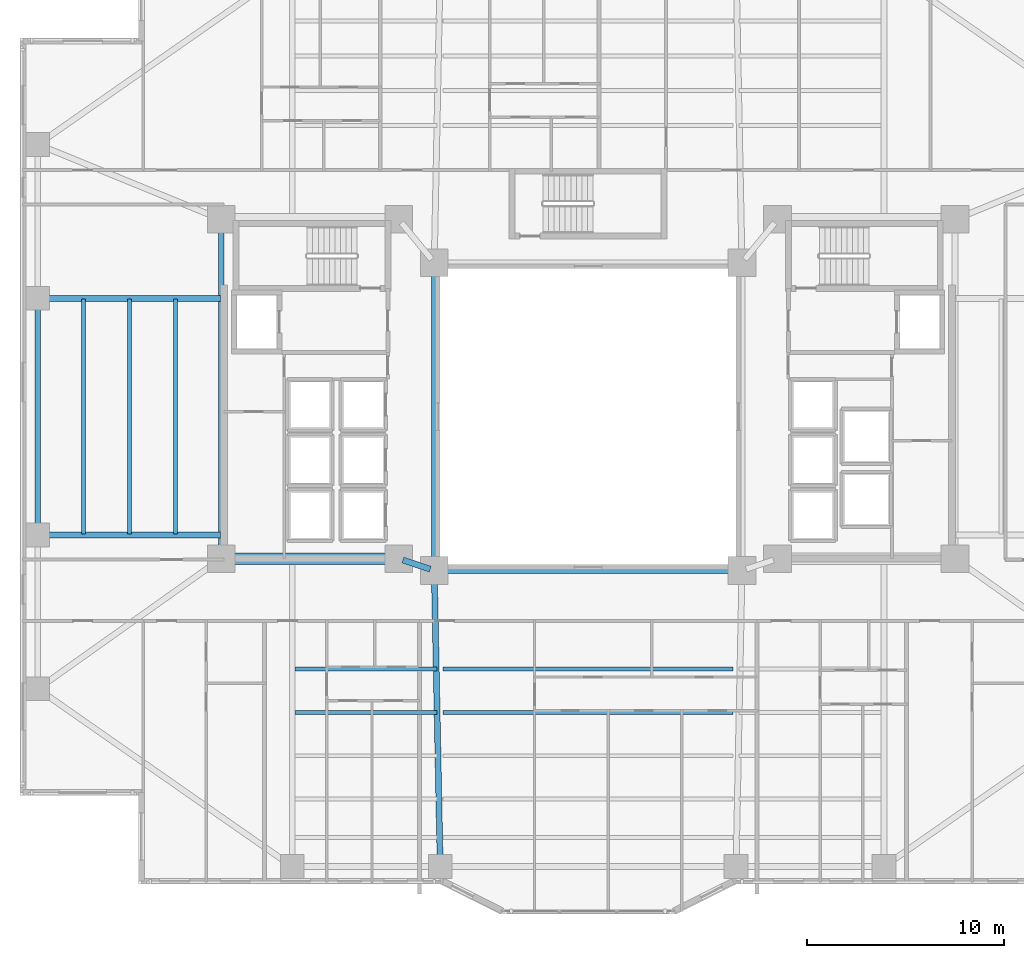
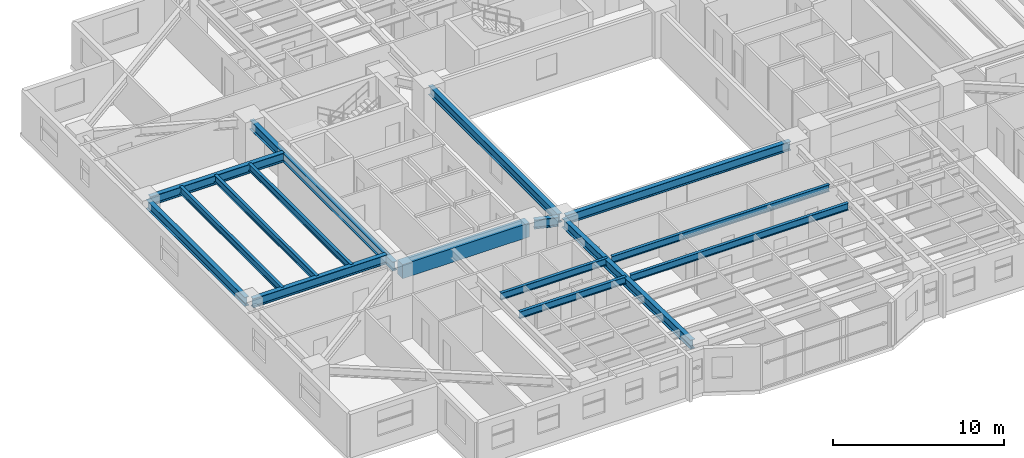
# One storey, part 3 of 21: 16 beams.
"""IFC4 building model written with IfcOpenShell, lengths in metres."""

from ifc_helpers import new_model, si_unit, direction, frame, origin, origin_2d, place, context, subcontext, project, spatial, rectangle, i_section, extrude, material, material_profile, profile_set, type_object, element, save


model = new_model("IFC4")

# Units and contexts
model_context = context("Model", 3, precision=1e-05, world=origin(), true_north=direction((0.0, 1.0)))
body_context = subcontext(model_context, "Body", "Model", "MODEL_VIEW")
ifc_project = project(units=[si_unit("LENGTHUNIT", "METRE"), si_unit("AREAUNIT", "SQUARE_METRE"), si_unit("VOLUMEUNIT", "CUBIC_METRE"), si_unit("PLANEANGLEUNIT", "RADIAN"), si_unit("MASSUNIT", "GRAM", prefix="KILO")], contexts=[model_context])

# Site, building, storey
site_placement = place(None, origin())
site = spatial("IfcSite", under=ifc_project, at=site_placement, CompositionType="ELEMENT")
building_placement = place(site_placement, origin())
building = spatial("IfcBuilding", under=site, at=building_placement, Name="Tarnavaz Court Tower", CompositionType="ELEMENT")
storey_placement = place(building_placement, frame((0.0, 0.0, 37.39990234375)))
storey = spatial("IfcBuildingStorey", under=building, at=storey_placement, Name="L09", CompositionType="ELEMENT", Elevation=37.39990234375)

# Beams
ifc_material_1 = material(Name="Concrete C60/75", Category="concrete")
ifc_material_profile_1 = material_profile(ifc_material_1, rectangle(XDim=0.60009765625, YDim=1.0, at=origin_2d()), Name="RC 600X1000")
ifc_profile_set_1 = profile_set([ifc_material_profile_1], Name="Concrete C60/75")
beam_type_1 = type_object("IfcBeamType", Name="BM-CB1000", PredefinedType="LINTEL", material=ifc_profile_set_1)
beam_1_placement = place(storey_placement, frame((-18.3798828125, -7.199951171875, 2.60009765625), z_axis=(1.0, 0.0, 0.0), x_axis=(0.0, 1.0, 0.0)))
element("IfcBeam", 1, at=beam_1_placement, inside=storey, type_object=beam_type_1, Name="L09 Beam IN-CW-SO-CW-SI", PredefinedType="LINTEL", context=body_context, shape_type="SweptSolid", body=[
    extrude(rectangle(XDim=0.60009765625, YDim=1.0, at=origin_2d()), origin(), (0.0, 0.0, 1.0), 8.559814453125),
])
ifc_material_2 = material(Name="Steel S355", Category="steel")
ifc_material_profile_2 = material_profile(ifc_material_2, i_section(OverallWidth=0.300048828125, OverallDepth=0.64990234375, WebThickness=0.01611328125, FlangeThickness=0.031005859375, FilletRadius=0.027099609375, at=origin_2d()), Name="HEB 650")
ifc_profile_set_2 = profile_set([ifc_material_profile_2], Name="Steel S355")
beam_type_2 = type_object("IfcBeamType", Name="BM-G-HEB650", PredefinedType="USERDEFINED", material=ifc_profile_set_2)
beam_2_placement = place(storey_placement, frame((-9.391357421875, -7.26953125, 2.775146484375), z_axis=(0.948666544706, -0.316278021615, 0.0), x_axis=(0.316278021615, 0.948666544706, 0.0)))
element("IfcBeam", 2, at=beam_2_placement, inside=storey, type_object=beam_type_2, Name="L09 Beam IN-CW-SI-IW-SW", ObjectType="GIRDER", PredefinedType="USERDEFINED", context=body_context, shape_type="SweptSolid", body=[
    extrude(i_section(OverallWidth=0.300048828125, OverallDepth=0.64990234375, WebThickness=0.01611328125, FlangeThickness=0.031005859375, FilletRadius=0.027099609375, at=origin_2d()), origin(), (0.0, 0.0, 1.0), 1.457275390625),
])
beam_3_placement = place(storey_placement, frame((-18.60009765625, -6.97998046875, 2.775146484375), z_axis=(0.0, 1.0, 0.0), x_axis=(-1.0, 0.0, 0.0)))
element("IfcBeam", 3, at=beam_3_placement, inside=storey, type_object=beam_type_2, Name="L09 Beam IN-CW-SO-CW-NO", ObjectType="GIRDER", PredefinedType="USERDEFINED", context=body_context, shape_type="SweptSolid", body=[
    extrude(i_section(OverallWidth=0.300048828125, OverallDepth=0.64990234375, WebThickness=0.01611328125, FlangeThickness=0.031005859375, FilletRadius=0.027099609375, at=origin_2d()), origin(), (0.0, 0.0, 1.0), 16.760009765625),
])
beam_4_placement = place(storey_placement, frame((-7.795654296875, -8.02001953125, 2.775146484375), z_axis=(0.020000023066, -0.999799979535, 0.0), x_axis=(0.999799979535, 0.020000023066, 0.0)))
element("IfcBeam", 4, at=beam_4_placement, inside=storey, type_object=beam_type_2, Name="L09 Beam RG-06", ObjectType="GIRDER", PredefinedType="USERDEFINED", context=body_context, shape_type="SweptSolid", body=[
    extrude(i_section(OverallWidth=0.300048828125, OverallDepth=0.64990234375, WebThickness=0.01611328125, FlangeThickness=0.031005859375, FilletRadius=0.027099609375, at=origin_2d()), origin(), (0.0, 0.0, 1.0), 14.56298828125),
])
for number, where, z_axis, x_axis, name in (
    (5, (-18.639892578125, -6.0, 2.775146484375), (-1.0, 0.0, 0.0), (0.0, -1.0, 0.0), "L09 Beam RG-13"),
    (6, (-18.639892578125, 6.0, 2.775146484375), (-1.0, 0.0, 0.0), (0.0, -1.0, 0.0), "L09 Beam RG-14"),
):
    element("IfcBeam", number, at=place(storey_placement, frame(where, z_axis=z_axis, x_axis=x_axis)), inside=storey, type_object=beam_type_2, Name=name, ObjectType="GIRDER", PredefinedType="USERDEFINED", context=body_context, shape_type="SweptSolid", body=[
        extrude(i_section(OverallWidth=0.300048828125, OverallDepth=0.64990234375, WebThickness=0.01611328125, FlangeThickness=0.031005859375, FilletRadius=0.027099609375, at=origin_2d()), origin(), (0.0, 0.0, 1.0), 9.0400390625),
    ])
ifc_material_profile_3 = material_profile(ifc_material_2, i_section(OverallWidth=0.199951171875, OverallDepth=0.5, WebThickness=0.01025390625, FlangeThickness=0.01611328125, FilletRadius=0.02099609375, at=origin_2d()), Name="IPE 500")
ifc_profile_set_3 = profile_set([ifc_material_profile_3], Name="Steel S355")
beam_type_3 = type_object("IfcBeamType", Name="BM-J-IPE500", PredefinedType="JOIST", material=ifc_profile_set_3)
beam_5_placement = place(storey_placement, frame((-14.85009765625, -12.7958984375, 2.85009765625), z_axis=(1.0, 0.0, 0.0), x_axis=(0.0, 1.0, 0.0)))
element("IfcBeam", 7, at=beam_5_placement, inside=storey, type_object=beam_type_3, Name="L09 Beam JS1-1", PredefinedType="JOIST", context=body_context, shape_type="SweptSolid", body=[
    extrude(i_section(OverallWidth=0.199951171875, OverallDepth=0.5, WebThickness=0.01025390625, FlangeThickness=0.01611328125, FilletRadius=0.02099609375, at=origin_2d()), origin(), (0.0, 0.0, 1.0), 7.2001953125),
])
beam_6_placement = place(storey_placement, frame((-7.35009765625, -12.7958984375, 2.85009765625), z_axis=(1.0, 0.0, 0.0), x_axis=(0.0, 1.0, 0.0)))
element("IfcBeam", 8, at=beam_6_placement, inside=storey, type_object=beam_type_3, Name="L09 Beam JS1-2", PredefinedType="JOIST", context=body_context, shape_type="SweptSolid", body=[
    extrude(i_section(OverallWidth=0.199951171875, OverallDepth=0.5, WebThickness=0.01025390625, FlangeThickness=0.01611328125, FilletRadius=0.02099609375, at=origin_2d()), origin(), (0.0, 0.0, 1.0), 14.7001953125),
])
beam_7_placement = place(storey_placement, frame((-14.85009765625, -14.991943359375, 2.85009765625), z_axis=(1.0, 0.0, 0.0), x_axis=(0.0, 1.0, 0.0)))
element("IfcBeam", 9, at=beam_7_placement, inside=storey, type_object=beam_type_3, Name="L09 Beam JS2-1", PredefinedType="JOIST", context=body_context, shape_type="SweptSolid", body=[
    extrude(i_section(OverallWidth=0.199951171875, OverallDepth=0.5, WebThickness=0.01025390625, FlangeThickness=0.01611328125, FilletRadius=0.02099609375, at=origin_2d()), origin(), (0.0, 0.0, 1.0), 7.2001953125),
])
beam_8_placement = place(storey_placement, frame((-7.35009765625, -14.991943359375, 2.85009765625), z_axis=(1.0, 0.0, 0.0), x_axis=(0.0, 1.0, 0.0)))
element("IfcBeam", 10, at=beam_8_placement, inside=storey, type_object=beam_type_3, Name="L09 Beam JS2-2", PredefinedType="JOIST", context=body_context, shape_type="SweptSolid", body=[
    extrude(i_section(OverallWidth=0.199951171875, OverallDepth=0.5, WebThickness=0.01025390625, FlangeThickness=0.01611328125, FilletRadius=0.02099609375, at=origin_2d()), origin(), (0.0, 0.0, 1.0), 14.7001953125),
])
for number, where, z_axis, x_axis, name in (
    (11, (-20.925048828125, -5.9599609375, 2.85009765625), (0.0, 1.0, 0.0), (-1.0, 0.0, 0.0), "L09 Beam JW1"),
    (12, (-23.25, -5.9599609375, 2.85009765625), (0.0, 1.0, 0.0), (-1.0, 0.0, 0.0), "L09 Beam JW2"),
    (13, (-25.574951171875, -5.9599609375, 2.85009765625), (0.0, 1.0, 0.0), (-1.0, 0.0, 0.0), "L09 Beam JW3"),
):
    element("IfcBeam", number, at=place(storey_placement, frame(where, z_axis=z_axis, x_axis=x_axis)), inside=storey, type_object=beam_type_3, Name=name, PredefinedType="JOIST", context=body_context, shape_type="SweptSolid", body=[
        extrude(i_section(OverallWidth=0.199951171875, OverallDepth=0.5, WebThickness=0.01025390625, FlangeThickness=0.01611328125, FilletRadius=0.02099609375, at=origin_2d()), origin(), (0.0, 0.0, 1.0), 11.919921875),
    ])
ifc_material_profile_4 = material_profile(ifc_material_2, i_section(OverallWidth=0.300048828125, OverallDepth=0.639892578125, WebThickness=0.013427734375, FlangeThickness=0.02587890625, FilletRadius=0.027099609375, at=origin_2d()), Name="HEA 650")
ifc_profile_set_4 = profile_set([ifc_material_profile_4], Name="Steel S355")
beam_type_4 = type_object("IfcBeamType", Name="BM-SP-HEA650", PredefinedType="SPANDREL", material=ifc_profile_set_4)
for number, where, z_axis, x_axis, name in (
    (14, (-7.580078125, -7.800048828125, 2.780029296875), (1.0, 0.0, 0.0), (0.0, 1.0, 0.0), "L09 Beam IN-IW-SW-IW-SE"),
    (15, (-7.800048828125, -7.580078125, 2.780029296875), (0.0, 1.0, 0.0), (-1.0, 0.0, 0.0), "L09 Beam IN-IW-SW-IW-NW"),
):
    element("IfcBeam", number, at=place(storey_placement, frame(where, z_axis=z_axis, x_axis=x_axis)), inside=storey, type_object=beam_type_4, Name=name, PredefinedType="SPANDREL", context=body_context, shape_type="SweptSolid", body=[
        extrude(i_section(OverallWidth=0.300048828125, OverallDepth=0.639892578125, WebThickness=0.013427734375, FlangeThickness=0.02587890625, FilletRadius=0.027099609375, at=origin_2d()), origin(), (0.0, 0.0, 1.0), 15.16015625),
    ])
beam_9_placement = place(storey_placement, frame((-27.89990234375, -5.780029296875, 2.780029296875), z_axis=(0.0, 1.0, 0.0), x_axis=(-1.0, 0.0, 0.0)))
element("IfcBeam", 16, at=beam_9_placement, inside=storey, type_object=beam_type_4, Name="L09 Beam PR-PW-2-PW-3", PredefinedType="SPANDREL", context=body_context, shape_type="SweptSolid", body=[
    extrude(i_section(OverallWidth=0.300048828125, OverallDepth=0.639892578125, WebThickness=0.013427734375, FlangeThickness=0.02587890625, FilletRadius=0.027099609375, at=origin_2d()), origin(), (0.0, 0.0, 1.0), 11.56005859375),
])

save(model, "model.ifc")
